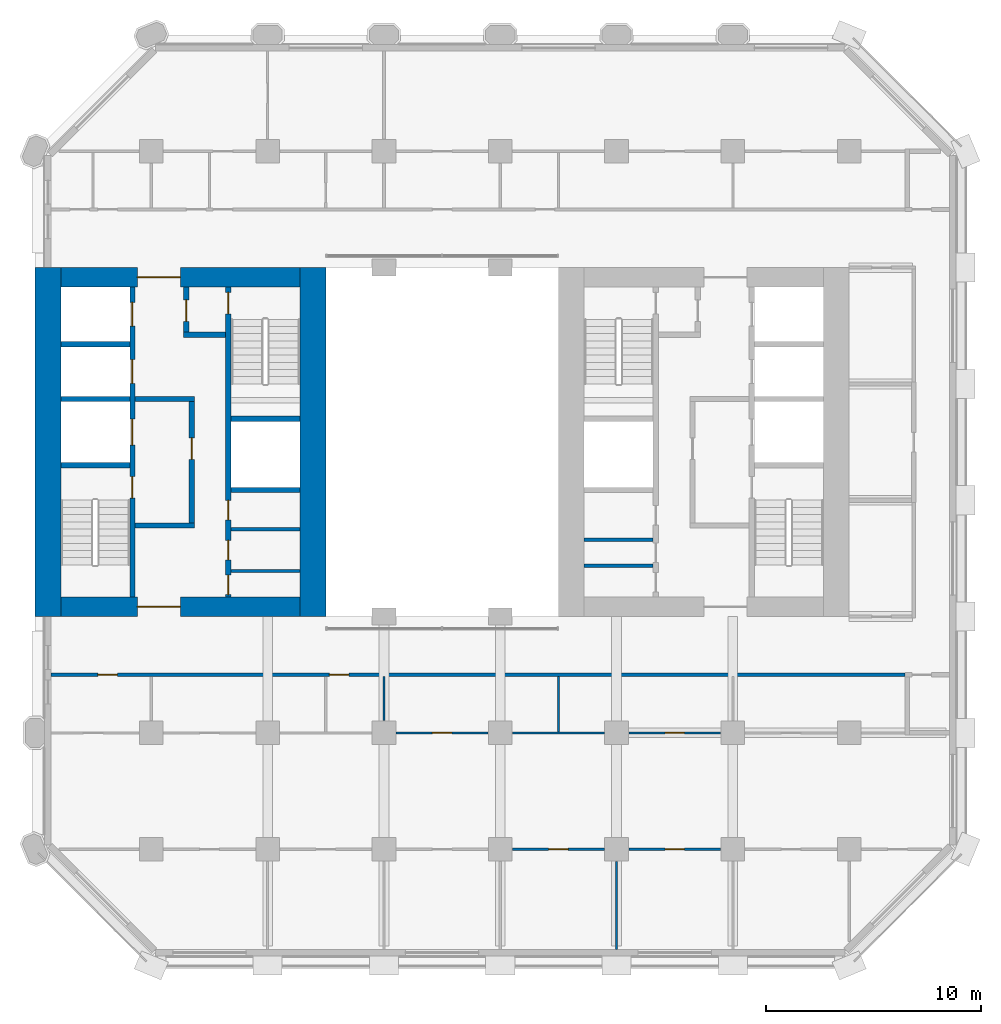
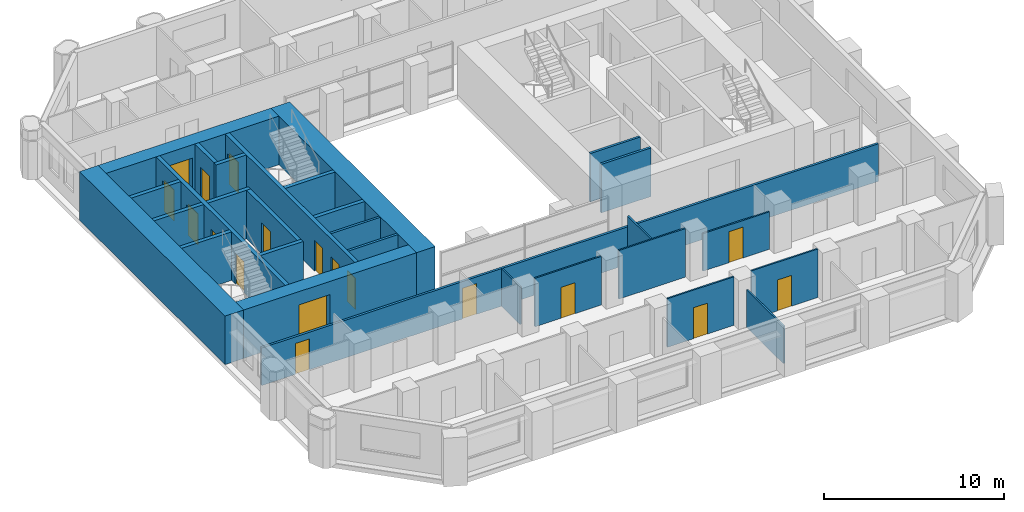
# One storey, part 8 of 13: 29 walls, 18 doors, 18 openings.
"""IFC4 building model written with IfcOpenShell, lengths in metres."""

from ifc_helpers import new_model, si_unit, direction, frame, frame_2d, origin, place, context, subcontext, project, spatial, rectangle, extrude, material, layer, layer_set, type_object, element, fill, save


model = new_model("IFC4")

# Units and contexts
model_context = context("Model", 3, precision=1e-05, world=origin(), true_north=direction((0.0, 1.0)))
body_context = subcontext(model_context, "Body", "Model", "MODEL_VIEW")
ifc_project = project(units=[si_unit("LENGTHUNIT", "METRE"), si_unit("AREAUNIT", "SQUARE_METRE"), si_unit("VOLUMEUNIT", "CUBIC_METRE"), si_unit("PLANEANGLEUNIT", "RADIAN"), si_unit("MASSUNIT", "GRAM", prefix="KILO")], contexts=[model_context])

# Site, building, storey
site_placement = place(None, origin())
site = spatial("IfcSite", under=ifc_project, at=site_placement, CompositionType="ELEMENT")
building_placement = place(site_placement, origin())
building = spatial("IfcBuilding", under=site, at=building_placement, Name="Tabaq Tower and Sports Hall", CompositionType="ELEMENT")
storey_placement = place(building_placement, frame((0.0, 0.0, 56.39990234375)))
storey = spatial("IfcBuildingStorey", under=building, at=storey_placement, Name="L12", CompositionType="ELEMENT", Elevation=56.39990234375)

# Walls
ifc_material_1 = material(Name="Blockwork", Category="masonry")
ifc_layer_1 = layer(ifc_material_1, 0.14990234375)
ifc_layer_set_1 = layer_set([ifc_layer_1], Name="Core room partition 150 Blockwork")
wall_type_1 = type_object("IfcWallType", Name="Core room partition 150 Blockwork", PredefinedType="PARTITIONING", material=ifc_layer_set_1)
for number, where, z_axis, x_axis, name in (
    (1, (14.5, 18.31201171875, 0.0), (0.0, 0.0, 1.0), (1.0, 0.0, 0.0), "Core room partition W L12"),
    (2, (14.5, 20.251953125, 0.0), (0.0, 0.0, 1.0), (1.0, 0.0, 0.0), "Core room partition W L12"),
):
    element("IfcWall", number, at=place(storey_placement, frame(where, z_axis=z_axis, x_axis=x_axis)), inside=storey, type_object=wall_type_1, Name=name, PredefinedType="PARTITIONING", context=body_context, shape_type="SweptSolid", body=[
        extrude(rectangle(XDim=3.199951171875, YDim=0.14990234375, at=frame_2d((1.60009765625, 0.0))), origin(), (0.0, 0.0, 1.0), 3.300048828125),
    ])
for number, where, z_axis, x_axis, name in (
    (3, (30.89990234375, 18.554931640625, 0.0), (0.0, 0.0, 1.0), (1.0, 0.0, 0.0), "Core room partition E L12"),
    (4, (30.89990234375, 19.76708984375, 0.0), (0.0, 0.0, 1.0), (1.0, 0.0, 0.0), "Core room partition E L12"),
):
    element("IfcWall", number, at=place(storey_placement, frame(where, z_axis=z_axis, x_axis=x_axis)), inside=storey, type_object=wall_type_1, Name=name, PredefinedType="PARTITIONING", context=body_context, shape_type="SweptSolid", body=[
        extrude(rectangle(XDim=3.2001953125, YDim=0.14990234375, at=frame_2d((1.60009765625, 0.0))), origin(), (0.0, 0.0, 1.0), 3.300048828125),
    ])
ifc_material_2 = material(Name="Concrete C60/75", Category="concrete")
ifc_layer_2 = layer(ifc_material_2, 1.199951171875)
ifc_layer_set_2 = layer_set([ifc_layer_2], Name="Core wall 1200 Concrete C60/75")
wall_type_2 = type_object("IfcWallType", Name="Core wall 1200 Concrete C60/75", PredefinedType="SOLIDWALL", material=ifc_layer_set_2)
for number, where, z_axis, x_axis, name in (
    (5, (6.0, 16.199951171875, 0.0), (0.0, 0.0, 1.0), (0.0, 1.0, 0.0), "Core wall W L12"),
    (6, (18.300048828125, 32.39990234375, 0.0), (0.0, 0.0, 1.0), (0.0, -1.0, 0.0), "Core wall W L12"),
):
    element("IfcWall", number, at=place(storey_placement, frame(where, z_axis=z_axis, x_axis=x_axis)), inside=storey, type_object=wall_type_2, Name=name, PredefinedType="SOLIDWALL", context=body_context, shape_type="SweptSolid", body=[
        extrude(rectangle(XDim=16.199951171875, YDim=1.199951171875, at=frame_2d((8.10009765625, 0.0))), origin(), (0.0, 0.0, 1.0), 3.300048828125),
    ])

# Wall, opening, door
ifc_material_3 = material(Name="Concrete C60/75", Category="concrete")
ifc_layer_3 = layer(ifc_material_3, 0.89990234375)
ifc_layer_set_3 = layer_set([ifc_layer_3], Name="Core wall 900 Concrete C60/75")
wall_type_3 = type_object("IfcWallType", Name="Core wall 900 Concrete C60/75", PredefinedType="SOLIDWALL", material=ifc_layer_set_3)
wall_1_placement = place(storey_placement, frame((17.699951171875, 16.64990234375, 0.0), z_axis=(0.0, 0.0, 1.0), x_axis=(-1.0, 0.0, 0.0)))
wall_1 = element("IfcWall", 7, at=wall_1_placement, inside=storey, type_object=wall_type_3, Name="Core wall W L12", PredefinedType="SOLIDWALL", context=body_context, shape_type="SweptSolid", body=[
    extrude(rectangle(XDim=11.099853515625, YDim=0.89990234375, at=frame_2d((5.5498046875, 0.0))), origin(), (0.0, 0.0, 1.0), 3.300048828125),
])
opening_1_placement = place(wall_1_placement, frame((5.550048828125, 0.0, 0.0)))
opening_1 = element("IfcOpeningElement", 8, at=opening_1_placement, cuts=wall_1, Name="Opening PD-WL12-01", PredefinedType="OPENING", context=body_context, shape_type="SweptSolid", body=[
    extrude(rectangle(XDim=2.0, YDim=2.39990234375, at=frame_2d((1.0, 1.199951171875))), frame((0.0, 0.449951171875, 0.0), z_axis=(0.0, -1.0, 0.0), x_axis=(1.0, 0.0, 0.0)), (0.0, 0.0, 1.0), 0.89990234375),
])
ifc_material_4 = material(Name="Steel fire door", Category="steel")
door_type_1 = type_object("IfcDoorType", Name="Core entrance door 2000", OperationType="DOUBLE_DOOR_SINGLE_SWING", PredefinedType="DOOR", material=ifc_material_4)
door_1_placement = place(opening_1_placement, origin())
door_1 = element("IfcDoor", 9, at=door_1_placement, inside=storey, type_object=door_type_1, Name="Core entrance south W L12", OperationType="DOUBLE_DOOR_SINGLE_SWING", OverallHeight=2.39990234375, OverallWidth=2.0, PredefinedType="DOOR", context=body_context, shape_type="SweptSolid", body=[
    extrude(rectangle(XDim=2.0, YDim=2.39990234375, at=frame_2d((1.0, 1.199951171875))), frame((0.0, 0.02490234375, 0.0), z_axis=(0.0, -1.0, 0.0), x_axis=(1.0, 0.0, 0.0)), (0.0, 0.0, 1.0), 0.050048828125),
])
fill(opening_1, door_1)

wall_2_placement = place(storey_placement, frame((6.60009765625, 31.949951171875, 0.0), z_axis=(0.0, 0.0, 1.0), x_axis=(1.0, 0.0, 0.0)))
wall_2 = element("IfcWall", 10, at=wall_2_placement, inside=storey, type_object=wall_type_3, Name="Core wall W L12", PredefinedType="SOLIDWALL", context=body_context, shape_type="SweptSolid", body=[
    extrude(rectangle(XDim=11.099853515625, YDim=0.89990234375, at=frame_2d((5.5498046875, 0.0))), origin(), (0.0, 0.0, 1.0), 3.300048828125),
])
opening_2_placement = place(wall_2_placement, frame((3.550048828125, 0.0, 0.0)))
opening_2 = element("IfcOpeningElement", 11, at=opening_2_placement, cuts=wall_2, Name="Opening PD-WL12-02", PredefinedType="OPENING", context=body_context, shape_type="SweptSolid", body=[
    extrude(rectangle(XDim=2.0, YDim=2.39990234375, at=frame_2d((1.0, 1.199951171875))), frame((0.0, 0.449951171875, 0.0), z_axis=(0.0, -1.0, 0.0), x_axis=(1.0, 0.0, 0.0)), (0.0, 0.0, 1.0), 0.89990234375),
])
door_2_placement = place(opening_2_placement, origin())
door_2 = element("IfcDoor", 12, at=door_2_placement, inside=storey, type_object=door_type_1, Name="Core entrance north W L12", OperationType="DOUBLE_DOOR_SINGLE_SWING", OverallHeight=2.39990234375, OverallWidth=2.0, PredefinedType="DOOR", context=body_context, shape_type="SweptSolid", body=[
    extrude(rectangle(XDim=2.0, YDim=2.39990234375, at=frame_2d((1.0, 1.199951171875))), frame((0.0, 0.02490234375, 0.0), z_axis=(0.0, -1.0, 0.0), x_axis=(1.0, 0.0, 0.0)), (0.0, 0.0, 1.0), 0.050048828125),
])
fill(opening_2, door_2)

# Wall
ifc_material_5 = material(Name="Gypsum board on steel studs", Category="steel")
ifc_layer_4 = layer(ifc_material_5, 0.10009765625)
ifc_layer_set_4 = layer_set([ifc_layer_4], Name="Partition 100 Gypsum board")
wall_type_4 = type_object("IfcWallType", Name="Partition 100 Gypsum board", PredefinedType="PARTITIONING", material=ifc_layer_set_4)
wall_3_placement = place(storey_placement, frame((21.60009765625, 11.3701171875, 0.0), z_axis=(0.0, 0.0, 1.0), x_axis=(0.0, 1.0, 0.0)))
element("IfcWall", 13, at=wall_3_placement, inside=storey, type_object=wall_type_4, Name="Partition wall L12", PredefinedType="PARTITIONING", context=body_context, shape_type="SweptSolid", body=[
    extrude(rectangle(XDim=2.054931640625, YDim=0.10009765625, at=frame_2d((1.02734375, 0.0))), origin(), (0.0, 0.0, 1.0), 2.550048828125),
])

# Wall, opening, door
wall_4_placement = place(storey_placement, frame((22.169921875, 10.800048828125, 0.0), z_axis=(0.0, 0.0, 1.0), x_axis=(1.0, 0.0, 0.0)))
wall_4 = element("IfcWall", 14, at=wall_4_placement, inside=storey, type_object=wall_type_4, Name="Partition wall L12", PredefinedType="PARTITIONING", context=body_context, shape_type="SweptSolid", body=[
    extrude(rectangle(XDim=4.260009765625, YDim=0.10009765625, at=frame_2d((2.1298828125, 0.0))), origin(), (0.0, 0.0, 1.0), 3.300048828125),
])
opening_3_placement = place(wall_4_placement, frame((1.679931640625, 0.0, 0.0)))
opening_3 = element("IfcOpeningElement", 15, at=opening_3_placement, cuts=wall_4, Name="Opening L12-016", PredefinedType="OPENING", context=body_context, shape_type="SweptSolid", body=[
    extrude(rectangle(XDim=0.89990234375, YDim=2.10009765625, at=frame_2d((0.449951171875, 1.050048828125))), frame((0.0, 0.050048828125, 0.0), z_axis=(0.0, -1.0, 0.0), x_axis=(1.0, 0.0, 0.0)), (0.0, 0.0, 1.0), 0.10009765625),
])
ifc_material_6 = material(Name="Timber leaf in steel frame", Category="steel")
door_type_2 = type_object("IfcDoorType", Name="Internal door 900 left hand", OperationType="SINGLE_SWING_LEFT", PredefinedType="DOOR", material=ifc_material_6)
door_3_placement = place(opening_3_placement, origin())
door_3 = element("IfcDoor", 16, at=door_3_placement, inside=storey, type_object=door_type_2, Name="Internal door L12-016", OperationType="SINGLE_SWING_LEFT", OverallHeight=2.10009765625, OverallWidth=0.89990234375, PredefinedType="DOOR", context=body_context, shape_type="SweptSolid", body=[
    extrude(rectangle(XDim=0.89990234375, YDim=2.10009765625, at=frame_2d((0.449951171875, 1.050048828125))), frame((0.0, 0.02490234375, 0.0), z_axis=(0.0, -1.0, 0.0), x_axis=(1.0, 0.0, 0.0)), (0.0, 0.0, 1.0), 0.050048828125),
])
fill(opening_3, door_3)

# Walls
wall_5_placement = place(storey_placement, frame((29.699951171875, 10.85009765625, 0.0), z_axis=(0.0, 0.0, 1.0), x_axis=(0.0, 1.0, 0.0)))
element("IfcWall", 17, at=wall_5_placement, inside=storey, type_object=wall_type_4, Name="Partition wall L12", PredefinedType="PARTITIONING", context=body_context, shape_type="SweptSolid", body=[
    extrude(rectangle(XDim=2.574951171875, YDim=0.10009765625, at=frame_2d((1.28759765625, 0.0))), origin(), (0.0, 0.0, 1.0), 3.300048828125),
])
wall_6_placement = place(storey_placement, frame((27.570068359375, 10.800048828125, 0.0), z_axis=(0.0, 0.0, 1.0), x_axis=(1.0, 0.0, 0.0)))
element("IfcWall", 18, at=wall_6_placement, inside=storey, type_object=wall_type_4, Name="Partition wall L12", PredefinedType="PARTITIONING", context=body_context, shape_type="SweptSolid", body=[
    extrude(rectangle(XDim=4.260009765625, YDim=0.10009765625, at=frame_2d((2.1298828125, 0.0))), origin(), (0.0, 0.0, 1.0), 3.300048828125),
])

# Wall, opening, door
wall_7_placement = place(storey_placement, frame((32.969970703125, 10.800048828125, 0.0), z_axis=(0.0, 0.0, 1.0), x_axis=(1.0, 0.0, 0.0)))
wall_7 = element("IfcWall", 19, at=wall_7_placement, inside=storey, type_object=wall_type_4, Name="Partition wall L12", PredefinedType="PARTITIONING", context=body_context, shape_type="SweptSolid", body=[
    extrude(rectangle(XDim=4.260009765625, YDim=0.10009765625, at=frame_2d((2.1298828125, 0.0))), origin(), (0.0, 0.0, 1.0), 2.550048828125),
])
opening_4_placement = place(wall_7_placement, frame((1.679931640625, 0.0, 0.0)))
opening_4 = element("IfcOpeningElement", 20, at=opening_4_placement, cuts=wall_7, Name="Opening L12-017", PredefinedType="OPENING", context=body_context, shape_type="SweptSolid", body=[
    extrude(rectangle(XDim=0.89990234375, YDim=2.10009765625, at=frame_2d((0.449951171875, 1.050048828125))), frame((0.0, 0.050048828125, 0.0), z_axis=(0.0, -1.0, 0.0), x_axis=(1.0, 0.0, 0.0)), (0.0, 0.0, 1.0), 0.10009765625),
])
ifc_material_7 = material(Name="Timber leaf in steel frame", Category="steel")
door_type_3 = type_object("IfcDoorType", Name="Internal door 900 right hand", OperationType="SINGLE_SWING_RIGHT", PredefinedType="DOOR", material=ifc_material_7)
door_4_placement = place(opening_4_placement, origin())
door_4 = element("IfcDoor", 21, at=door_4_placement, inside=storey, type_object=door_type_3, Name="Internal door L12-017", OperationType="SINGLE_SWING_RIGHT", OverallHeight=2.10009765625, OverallWidth=0.89990234375, PredefinedType="DOOR", context=body_context, shape_type="SweptSolid", body=[
    extrude(rectangle(XDim=0.89990234375, YDim=2.10009765625, at=frame_2d((0.449951171875, 1.050048828125))), frame((0.0, 0.02490234375, 0.0), z_axis=(0.0, -1.0, 0.0), x_axis=(1.0, 0.0, 0.0)), (0.0, 0.0, 1.0), 0.050048828125),
])
fill(opening_4, door_4)

wall_8_placement = place(storey_placement, frame((27.570068359375, 5.39990234375, 0.0), z_axis=(0.0, 0.0, 1.0), x_axis=(1.0, 0.0, 0.0)))
wall_8 = element("IfcWall", 22, at=wall_8_placement, inside=storey, type_object=wall_type_4, Name="Partition wall L12", PredefinedType="PARTITIONING", context=body_context, shape_type="SweptSolid", body=[
    extrude(rectangle(XDim=4.260009765625, YDim=0.10009765625, at=frame_2d((2.1298828125, 0.0))), origin(), (0.0, 0.0, 1.0), 3.300048828125),
])
opening_5_placement = place(wall_8_placement, frame((1.679931640625, 0.0, 0.0)))
opening_5 = element("IfcOpeningElement", 23, at=opening_5_placement, cuts=wall_8, Name="Opening L12-022", PredefinedType="OPENING", context=body_context, shape_type="SweptSolid", body=[
    extrude(rectangle(XDim=0.89990234375, YDim=2.10009765625, at=frame_2d((0.449951171875, 1.050048828125))), frame((0.0, 0.050048828125, 0.0), z_axis=(0.0, -1.0, 0.0), x_axis=(1.0, 0.0, 0.0)), (0.0, 0.0, 1.0), 0.10009765625),
])
door_5_placement = place(opening_5_placement, origin())
door_5 = element("IfcDoor", 24, at=door_5_placement, inside=storey, type_object=door_type_3, Name="Internal door L12-022", OperationType="SINGLE_SWING_RIGHT", OverallHeight=2.10009765625, OverallWidth=0.89990234375, PredefinedType="DOOR", context=body_context, shape_type="SweptSolid", body=[
    extrude(rectangle(XDim=0.89990234375, YDim=2.10009765625, at=frame_2d((0.449951171875, 1.050048828125))), frame((0.0, 0.02490234375, 0.0), z_axis=(0.0, -1.0, 0.0), x_axis=(1.0, 0.0, 0.0)), (0.0, 0.0, 1.0), 0.050048828125),
])
fill(opening_5, door_5)

wall_9_placement = place(storey_placement, frame((32.969970703125, 5.39990234375, 0.0), z_axis=(0.0, 0.0, 1.0), x_axis=(1.0, 0.0, 0.0)))
wall_9 = element("IfcWall", 25, at=wall_9_placement, inside=storey, type_object=wall_type_4, Name="Partition wall L12", PredefinedType="PARTITIONING", context=body_context, shape_type="SweptSolid", body=[
    extrude(rectangle(XDim=4.260009765625, YDim=0.10009765625, at=frame_2d((2.1298828125, 0.0))), origin(), (0.0, 0.0, 1.0), 3.300048828125),
])
opening_6_placement = place(wall_9_placement, frame((1.679931640625, 0.0, 0.0)))
opening_6 = element("IfcOpeningElement", 26, at=opening_6_placement, cuts=wall_9, Name="Opening L12-023", PredefinedType="OPENING", context=body_context, shape_type="SweptSolid", body=[
    extrude(rectangle(XDim=0.89990234375, YDim=2.10009765625, at=frame_2d((0.449951171875, 1.050048828125))), frame((0.0, 0.050048828125, 0.0), z_axis=(0.0, -1.0, 0.0), x_axis=(1.0, 0.0, 0.0)), (0.0, 0.0, 1.0), 0.10009765625),
])
door_6_placement = place(opening_6_placement, origin())
door_6 = element("IfcDoor", 27, at=door_6_placement, inside=storey, type_object=door_type_2, Name="Internal door L12-023", OperationType="SINGLE_SWING_LEFT", OverallHeight=2.10009765625, OverallWidth=0.89990234375, PredefinedType="DOOR", context=body_context, shape_type="SweptSolid", body=[
    extrude(rectangle(XDim=0.89990234375, YDim=2.10009765625, at=frame_2d((0.449951171875, 1.050048828125))), frame((0.0, 0.02490234375, 0.0), z_axis=(0.0, -1.0, 0.0), x_axis=(1.0, 0.0, 0.0)), (0.0, 0.0, 1.0), 0.050048828125),
])
fill(opening_6, door_6)

# Wall
wall_10_placement = place(storey_placement, frame((32.39990234375, 0.7509765625, 0.0), z_axis=(0.0, 0.0, 1.0), x_axis=(0.0, 1.0, 0.0)))
element("IfcWall", 28, at=wall_10_placement, inside=storey, type_object=wall_type_4, Name="Partition wall L12", PredefinedType="PARTITIONING", context=body_context, shape_type="SweptSolid", body=[
    extrude(rectangle(XDim=4.0791015625, YDim=0.10009765625, at=frame_2d((2.03955078125, 0.0))), origin(), (0.0, 0.0, 1.0), 2.550048828125),
])

# Wall, openings, doors
ifc_material_8 = material(Name="Blockwork", Category="masonry")
ifc_layer_5 = layer(ifc_material_8, 0.14990234375)
ifc_layer_set_5 = layer_set([ifc_layer_5], Name="Separating wall 150 Blockwork")
wall_type_5 = type_object("IfcWallType", Name="Separating wall 150 Blockwork", PredefinedType="PARTITIONING", material=ifc_layer_set_5)
wall_11_placement = place(storey_placement, frame((6.15087890625, 13.5, 0.0), z_axis=(0.0, 0.0, 1.0), x_axis=(1.0, 0.0, 0.0)))
wall_11 = element("IfcWall", 29, at=wall_11_placement, inside=storey, type_object=wall_type_5, Name="Separating wall L12", PredefinedType="PARTITIONING", context=body_context, shape_type="SweptSolid", body=[
    extrude(rectangle(XDim=39.649169921875, YDim=0.14990234375, at=frame_2d((19.82470703125, 0.0))), origin(), (0.0, 0.0, 1.0), 2.550048828125),
])
opening_7_placement = place(wall_11_placement, frame((12.9189453125, 0.0, 0.0)))
opening_7 = element("IfcOpeningElement", 30, at=opening_7_placement, cuts=wall_11, Name="Opening L12-006", PredefinedType="OPENING", context=body_context, shape_type="SweptSolid", body=[
    extrude(rectangle(XDim=0.89990234375, YDim=2.10009765625, at=frame_2d((0.449951171875, 1.050048828125))), frame((0.0, 0.074951171875, 0.0), z_axis=(0.0, -1.0, 0.0), x_axis=(1.0, 0.0, 0.0)), (0.0, 0.0, 1.0), 0.14990234375),
])
opening_8_placement = place(wall_11_placement, frame((2.174072265625, 0.0, 0.0)))
opening_8 = element("IfcOpeningElement", 31, at=opening_8_placement, cuts=wall_11, Name="Opening L12-027", PredefinedType="OPENING", context=body_context, shape_type="SweptSolid", body=[
    extrude(rectangle(XDim=0.89990234375, YDim=2.10009765625, at=frame_2d((0.449951171875, 1.050048828125))), frame((0.0, 0.074951171875, 0.0), z_axis=(0.0, -1.0, 0.0), x_axis=(1.0, 0.0, 0.0)), (0.0, 0.0, 1.0), 0.14990234375),
])
ifc_material_9 = material(Name="Steel fire door", Category="steel")
door_type_4 = type_object("IfcDoorType", Name="Entrance door 900 right hand", OperationType="SINGLE_SWING_RIGHT", PredefinedType="DOOR", material=ifc_material_9)
door_7_placement = place(opening_7_placement, origin())
door_7 = element("IfcDoor", 32, at=door_7_placement, inside=storey, type_object=door_type_4, Name="Entrance door L12-006", OperationType="SINGLE_SWING_RIGHT", OverallHeight=2.10009765625, OverallWidth=0.89990234375, PredefinedType="DOOR", context=body_context, shape_type="SweptSolid", body=[
    extrude(rectangle(XDim=0.89990234375, YDim=2.10009765625, at=frame_2d((0.449951171875, 1.050048828125))), frame((0.0, 0.02490234375, 0.0), z_axis=(0.0, -1.0, 0.0), x_axis=(1.0, 0.0, 0.0)), (0.0, 0.0, 1.0), 0.050048828125),
])
fill(opening_7, door_7)
door_8_placement = place(opening_8_placement, origin())
door_8 = element("IfcDoor", 33, at=door_8_placement, inside=storey, type_object=door_type_4, Name="Entrance door L12-027", OperationType="SINGLE_SWING_RIGHT", OverallHeight=2.10009765625, OverallWidth=0.89990234375, PredefinedType="DOOR", context=body_context, shape_type="SweptSolid", body=[
    extrude(rectangle(XDim=0.89990234375, YDim=2.10009765625, at=frame_2d((0.449951171875, 1.050048828125))), frame((0.0, 0.02490234375, 0.0), z_axis=(0.0, -1.0, 0.0), x_axis=(1.0, 0.0, 0.0)), (0.0, 0.0, 1.0), 0.050048828125),
])
fill(opening_8, door_8)

ifc_material_10 = material(Name="Concrete C40/50", Category="concrete")
ifc_layer_6 = layer(ifc_material_10, 0.25)
ifc_layer_set_6 = layer_set([ifc_layer_6], Name="Shaft and stair wall 250 Concrete C40/50")
wall_type_6 = type_object("IfcWallType", Name="Shaft and stair wall 250 Concrete C40/50", PredefinedType="SOLIDWALL", material=ifc_layer_set_6)
wall_12_placement = place(storey_placement, frame((9.925048828125, 17.10009765625, 0.0), z_axis=(0.0, 0.0, 1.0), x_axis=(0.0, 1.0, 0.0)))
wall_12 = element("IfcWall", 34, at=wall_12_placement, inside=storey, type_object=wall_type_6, Name="Shaft wall W L12", PredefinedType="SOLIDWALL", context=body_context, shape_type="SweptSolid", body=[
    extrude(rectangle(XDim=14.39990234375, YDim=0.25, at=frame_2d((7.199951171875, 0.0))), origin(), (0.0, 0.0, 1.0), 3.300048828125),
])
opening_9_placement = place(wall_12_placement, frame((4.60009765625, 0.0, 0.0)))
opening_9 = element("IfcOpeningElement", 35, at=opening_9_placement, cuts=wall_12, Name="Opening SD-WL12-03", PredefinedType="OPENING", context=body_context, shape_type="SweptSolid", body=[
    extrude(rectangle(XDim=1.0, YDim=2.10009765625, at=frame_2d((0.5, 1.050048828125))), frame((0.0, 0.125, 0.0), z_axis=(0.0, -1.0, 0.0), x_axis=(1.0, 0.0, 0.0)), (0.0, 0.0, 1.0), 0.25),
])
opening_10_placement = place(wall_12_placement, frame((7.0625, 0.0, 0.0)))
opening_10 = element("IfcOpeningElement", 36, at=opening_10_placement, cuts=wall_12, Name="Opening LD-FF1-L12", PredefinedType="OPENING", context=body_context, shape_type="SweptSolid", body=[
    extrude(rectangle(XDim=1.199951171875, YDim=2.10009765625, at=frame_2d((0.60009765625, 1.050048828125))), frame((0.0, 0.125, 0.0), z_axis=(0.0, -1.0, 0.0), x_axis=(1.0, 0.0, 0.0)), (0.0, 0.0, 1.0), 0.25),
])
opening_11_placement = place(wall_12_placement, frame((9.925048828125, 0.0, 0.0)))
opening_11 = element("IfcOpeningElement", 37, at=opening_11_placement, cuts=wall_12, Name="Opening LD-LR1-L12", PredefinedType="OPENING", context=body_context, shape_type="SweptSolid", body=[
    extrude(rectangle(XDim=1.10009765625, YDim=2.10009765625, at=frame_2d((0.550048828125, 1.050048828125))), frame((0.0, 0.125, 0.0), z_axis=(0.0, -1.0, 0.0), x_axis=(1.0, 0.0, 0.0)), (0.0, 0.0, 1.0), 0.25),
])
opening_12_placement = place(wall_12_placement, frame((12.58740234375, 0.0, 0.0)))
opening_12 = element("IfcOpeningElement", 38, at=opening_12_placement, cuts=wall_12, Name="Opening LD-LR2-L12", PredefinedType="OPENING", context=body_context, shape_type="SweptSolid", body=[
    extrude(rectangle(XDim=1.10009765625, YDim=2.10009765625, at=frame_2d((0.550048828125, 1.050048828125))), frame((0.0, 0.125, 0.0), z_axis=(0.0, -1.0, 0.0), x_axis=(1.0, 0.0, 0.0)), (0.0, 0.0, 1.0), 0.25),
])
ifc_material_11 = material(Name="Stainless steel", Category="steel")
door_type_5 = type_object("IfcDoorType", Name="Lift landing door 1100", OperationType="DOUBLE_DOOR_SLIDING", PredefinedType="DOOR", material=ifc_material_11)
door_9_placement = place(opening_11_placement, origin())
door_9 = element("IfcDoor", 39, at=door_9_placement, inside=storey, type_object=door_type_5, Name="Lift landing door LR1 W L12", OperationType="DOUBLE_DOOR_SLIDING", OverallHeight=2.10009765625, OverallWidth=1.10009765625, PredefinedType="DOOR", context=body_context, shape_type="SweptSolid", body=[
    extrude(rectangle(XDim=1.10009765625, YDim=2.10009765625, at=frame_2d((0.550048828125, 1.050048828125))), frame((0.0, 0.02490234375, 0.0), z_axis=(0.0, -1.0, 0.0), x_axis=(1.0, 0.0, 0.0)), (0.0, 0.0, 1.0), 0.050048828125),
])
fill(opening_11, door_9)
door_10_placement = place(opening_12_placement, origin())
door_10 = element("IfcDoor", 40, at=door_10_placement, inside=storey, type_object=door_type_5, Name="Lift landing door LR2 W L12", OperationType="DOUBLE_DOOR_SLIDING", OverallHeight=2.10009765625, OverallWidth=1.10009765625, PredefinedType="DOOR", context=body_context, shape_type="SweptSolid", body=[
    extrude(rectangle(XDim=1.10009765625, YDim=2.10009765625, at=frame_2d((0.550048828125, 1.050048828125))), frame((0.0, 0.02490234375, 0.0), z_axis=(0.0, -1.0, 0.0), x_axis=(1.0, 0.0, 0.0)), (0.0, 0.0, 1.0), 0.050048828125),
])
fill(opening_12, door_10)
ifc_material_12 = material(Name="Stainless steel", Category="steel")
door_type_6 = type_object("IfcDoorType", Name="Lift landing door 1200", OperationType="DOUBLE_DOOR_SLIDING", PredefinedType="DOOR", material=ifc_material_12)
door_11_placement = place(opening_10_placement, origin())
door_11 = element("IfcDoor", 41, at=door_11_placement, inside=storey, type_object=door_type_6, Name="Lift landing door FF1 W L12", OperationType="DOUBLE_DOOR_SLIDING", OverallHeight=2.10009765625, OverallWidth=1.199951171875, PredefinedType="DOOR", context=body_context, shape_type="SweptSolid", body=[
    extrude(rectangle(XDim=1.199951171875, YDim=2.10009765625, at=frame_2d((0.60009765625, 1.050048828125))), frame((0.0, 0.02490234375, 0.0), z_axis=(0.0, -1.0, 0.0), x_axis=(1.0, 0.0, 0.0)), (0.0, 0.0, 1.0), 0.050048828125),
])
fill(opening_10, door_11)
ifc_material_13 = material(Name="Steel fire door", Category="steel")
door_type_7 = type_object("IfcDoorType", Name="Stair door 1000", OperationType="SINGLE_SWING_LEFT", PredefinedType="DOOR", material=ifc_material_13)
door_12_placement = place(opening_9_placement, origin())
door_12 = element("IfcDoor", 42, at=door_12_placement, inside=storey, type_object=door_type_7, Name="Stair door ST1 W L12", OperationType="SINGLE_SWING_LEFT", OverallHeight=2.10009765625, OverallWidth=1.0, PredefinedType="DOOR", context=body_context, shape_type="SweptSolid", body=[
    extrude(rectangle(XDim=1.0, YDim=2.10009765625, at=frame_2d((0.5, 1.050048828125))), frame((0.0, 0.02490234375, 0.0), z_axis=(0.0, -1.0, 0.0), x_axis=(1.0, 0.0, 0.0)), (0.0, 0.0, 1.0), 0.050048828125),
])
fill(opening_9, door_12)

wall_13_placement = place(storey_placement, frame((14.375, 17.10009765625, 0.0), z_axis=(0.0, 0.0, 1.0), x_axis=(0.0, 1.0, 0.0)))
wall_13 = element("IfcWall", 43, at=wall_13_placement, inside=storey, type_object=wall_type_6, Name="Shaft wall W L12", PredefinedType="SOLIDWALL", context=body_context, shape_type="SweptSolid", body=[
    extrude(rectangle(XDim=14.39990234375, YDim=0.25, at=frame_2d((7.199951171875, 0.0))), origin(), (0.0, 0.0, 1.0), 3.300048828125),
])
opening_13_placement = place(wall_13_placement, frame((13.14990234375, 0.0, 0.0)))
opening_13 = element("IfcOpeningElement", 44, at=opening_13_placement, cuts=wall_13, Name="Opening SD-WL12-05", PredefinedType="OPENING", context=body_context, shape_type="SweptSolid", body=[
    extrude(rectangle(XDim=1.0, YDim=2.10009765625, at=frame_2d((0.5, 1.050048828125))), frame((0.0, 0.125, 0.0), z_axis=(0.0, -1.0, 0.0), x_axis=(1.0, 0.0, 0.0)), (0.0, 0.0, 1.0), 0.25),
])
opening_14_placement = place(wall_13_placement, frame((0.118408203125, 0.0, 0.0)))
opening_14 = element("IfcOpeningElement", 45, at=opening_14_placement, cuts=wall_13, Name="Opening RD-WL12-10", PredefinedType="OPENING", context=body_context, shape_type="SweptSolid", body=[
    extrude(rectangle(XDim=0.89990234375, YDim=2.10009765625, at=frame_2d((0.449951171875, 1.050048828125))), frame((0.0, 0.125, 0.0), z_axis=(0.0, -1.0, 0.0), x_axis=(1.0, 0.0, 0.0)), (0.0, 0.0, 1.0), 0.25),
])
opening_15_placement = place(wall_13_placement, frame((1.73193359375, 0.0, 0.0)))
opening_15 = element("IfcOpeningElement", 46, at=opening_15_placement, cuts=wall_13, Name="Opening RD-WL12-11", PredefinedType="OPENING", context=body_context, shape_type="SweptSolid", body=[
    extrude(rectangle(XDim=0.89990234375, YDim=2.10009765625, at=frame_2d((0.449951171875, 1.050048828125))), frame((0.0, 0.125, 0.0), z_axis=(0.0, -1.0, 0.0), x_axis=(1.0, 0.0, 0.0)), (0.0, 0.0, 1.0), 0.25),
])
opening_16_placement = place(wall_13_placement, frame((3.58837890625, 0.0, 0.0)))
opening_16 = element("IfcOpeningElement", 47, at=opening_16_placement, cuts=wall_13, Name="Opening RD-WL12-12", PredefinedType="OPENING", context=body_context, shape_type="SweptSolid", body=[
    extrude(rectangle(XDim=0.89990234375, YDim=2.10009765625, at=frame_2d((0.449951171875, 1.050048828125))), frame((0.0, 0.125, 0.0), z_axis=(0.0, -1.0, 0.0), x_axis=(1.0, 0.0, 0.0)), (0.0, 0.0, 1.0), 0.25),
])
ifc_material_14 = material(Name="Steel fire door", Category="steel")
door_type_8 = type_object("IfcDoorType", Name="Core room door 900", OperationType="SINGLE_SWING_LEFT", PredefinedType="DOOR", material=ifc_material_14)
door_13_placement = place(opening_14_placement, origin())
door_13 = element("IfcDoor", 48, at=door_13_placement, inside=storey, type_object=door_type_8, Name="Door Electrical Riser Room W L12", OperationType="SINGLE_SWING_LEFT", OverallHeight=2.10009765625, OverallWidth=0.89990234375, PredefinedType="DOOR", context=body_context, shape_type="SweptSolid", body=[
    extrude(rectangle(XDim=0.89990234375, YDim=2.10009765625, at=frame_2d((0.449951171875, 1.050048828125))), frame((0.0, 0.02490234375, 0.0), z_axis=(0.0, -1.0, 0.0), x_axis=(1.0, 0.0, 0.0)), (0.0, 0.0, 1.0), 0.050048828125),
])
fill(opening_14, door_13)
door_14_placement = place(opening_15_placement, origin())
door_14 = element("IfcDoor", 49, at=door_14_placement, inside=storey, type_object=door_type_8, Name="Door Unisex WC W L12", OperationType="SINGLE_SWING_LEFT", OverallHeight=2.10009765625, OverallWidth=0.89990234375, PredefinedType="DOOR", context=body_context, shape_type="SweptSolid", body=[
    extrude(rectangle(XDim=0.89990234375, YDim=2.10009765625, at=frame_2d((0.449951171875, 1.050048828125))), frame((0.0, 0.02490234375, 0.0), z_axis=(0.0, -1.0, 0.0), x_axis=(1.0, 0.0, 0.0)), (0.0, 0.0, 1.0), 0.050048828125),
])
fill(opening_15, door_14)
door_15_placement = place(opening_16_placement, origin())
door_15 = element("IfcDoor", 50, at=door_15_placement, inside=storey, type_object=door_type_8, Name="Door Accessible WC W L12", OperationType="SINGLE_SWING_LEFT", OverallHeight=2.10009765625, OverallWidth=0.89990234375, PredefinedType="DOOR", context=body_context, shape_type="SweptSolid", body=[
    extrude(rectangle(XDim=0.89990234375, YDim=2.10009765625, at=frame_2d((0.449951171875, 1.050048828125))), frame((0.0, 0.02490234375, 0.0), z_axis=(0.0, -1.0, 0.0), x_axis=(1.0, 0.0, 0.0)), (0.0, 0.0, 1.0), 0.050048828125),
])
fill(opening_16, door_15)
door_16_placement = place(opening_13_placement, origin())
door_16 = element("IfcDoor", 51, at=door_16_placement, inside=storey, type_object=door_type_7, Name="Stair door ST2 W L12", OperationType="SINGLE_SWING_LEFT", OverallHeight=2.10009765625, OverallWidth=1.0, PredefinedType="DOOR", context=body_context, shape_type="SweptSolid", body=[
    extrude(rectangle(XDim=1.0, YDim=2.10009765625, at=frame_2d((0.5, 1.050048828125))), frame((0.0, 0.02490234375, 0.0), z_axis=(0.0, -1.0, 0.0), x_axis=(1.0, 0.0, 0.0)), (0.0, 0.0, 1.0), 0.050048828125),
])
fill(opening_13, door_16)

# Walls
for number, where, z_axis, x_axis, name in (
    (52, (6.60009765625, 23.22509765625, 0.0), (0.0, 0.0, 1.0), (1.0, 0.0, 0.0), "Stair enclosure wall W L12"),
    (53, (14.5, 25.375, 0.0), (0.0, 0.0, 1.0), (1.0, 0.0, 0.0), "Stair enclosure wall W L12"),
    (54, (14.5, 22.074951171875, 0.0), (0.0, 0.0, 1.0), (1.0, 0.0, 0.0), "Shaft wall W L12"),
    (55, (6.60009765625, 26.300048828125, 0.0), (0.0, 0.0, 1.0), (1.0, 0.0, 0.0), "Shaft wall W L12"),
):
    element("IfcWall", number, at=place(storey_placement, frame(where, z_axis=z_axis, x_axis=x_axis)), inside=storey, type_object=wall_type_6, Name=name, PredefinedType="SOLIDWALL", context=body_context, shape_type="SweptSolid", body=[
        extrude(rectangle(XDim=3.199951171875, YDim=0.25, at=frame_2d((1.60009765625, 0.0))), origin(), (0.0, 0.0, 1.0), 3.300048828125),
    ])
for number, where, z_axis, x_axis, name in (
    (56, (10.050048828125, 26.300048828125, 0.0), (0.0, 0.0, 1.0), (1.0, 0.0, 0.0), "Fire-fighting lobby wall W L12"),
    (57, (10.050048828125, 20.425048828125, 0.0), (0.0, 0.0, 1.0), (1.0, 0.0, 0.0), "Fire-fighting lobby wall W L12"),
):
    element("IfcWall", number, at=place(storey_placement, frame(where, z_axis=z_axis, x_axis=x_axis)), inside=storey, type_object=wall_type_6, Name=name, PredefinedType="SOLIDWALL", context=body_context, shape_type="SweptSolid", body=[
        extrude(rectangle(XDim=2.75, YDim=0.25, at=frame_2d((1.375, 0.0))), origin(), (0.0, 0.0, 1.0), 3.300048828125),
    ])

# Wall, opening, door
wall_14_placement = place(storey_placement, frame((12.425048828125, 29.39990234375, 0.0), z_axis=(0.0, 0.0, 1.0), x_axis=(0.0, 1.0, 0.0)))
wall_14 = element("IfcWall", 58, at=wall_14_placement, inside=storey, type_object=wall_type_6, Name="Fire-fighting lobby wall W L12", PredefinedType="SOLIDWALL", context=body_context, shape_type="SweptSolid", body=[
    extrude(rectangle(XDim=2.10009765625, YDim=0.25, at=frame_2d((1.050048828125, 0.0))), origin(), (0.0, 0.0, 1.0), 3.300048828125),
])
opening_17_placement = place(wall_14_placement, frame((0.5, 0.0, 0.0)))
opening_17 = element("IfcOpeningElement", 59, at=opening_17_placement, cuts=wall_14, Name="Opening FD-WL12-06", PredefinedType="OPENING", context=body_context, shape_type="SweptSolid", body=[
    extrude(rectangle(XDim=1.0, YDim=2.10009765625, at=frame_2d((0.5, 1.050048828125))), frame((0.0, 0.125, 0.0), z_axis=(0.0, -1.0, 0.0), x_axis=(1.0, 0.0, 0.0)), (0.0, 0.0, 1.0), 0.25),
])
ifc_material_15 = material(Name="Steel fire door", Category="steel")
door_type_9 = type_object("IfcDoorType", Name="Fire-fighting lobby door 1000", OperationType="SINGLE_SWING_LEFT", PredefinedType="DOOR", material=ifc_material_15)
door_17_placement = place(opening_17_placement, origin())
door_17 = element("IfcDoor", 60, at=door_17_placement, inside=storey, type_object=door_type_9, Name="Stair lobby door W L12", OperationType="SINGLE_SWING_LEFT", OverallHeight=2.10009765625, OverallWidth=1.0, PredefinedType="DOOR", context=body_context, shape_type="SweptSolid", body=[
    extrude(rectangle(XDim=1.0, YDim=2.10009765625, at=frame_2d((0.5, 1.050048828125))), frame((0.0, 0.02490234375, 0.0), z_axis=(0.0, -1.0, 0.0), x_axis=(1.0, 0.0, 0.0)), (0.0, 0.0, 1.0), 0.050048828125),
])
fill(opening_17, door_17)

# Wall
wall_15_placement = place(storey_placement, frame((12.300048828125, 29.27490234375, 0.0), z_axis=(0.0, 0.0, 1.0), x_axis=(1.0, 0.0, 0.0)))
element("IfcWall", 61, at=wall_15_placement, inside=storey, type_object=wall_type_6, Name="Fire-fighting lobby wall W L12", PredefinedType="SOLIDWALL", context=body_context, shape_type="SweptSolid", body=[
    extrude(rectangle(XDim=1.949951171875, YDim=0.25, at=frame_2d((0.97509765625, 0.0))), origin(), (0.0, 0.0, 1.0), 3.300048828125),
])

# Wall, opening, door
wall_16_placement = place(storey_placement, frame((12.675048828125, 20.550048828125, 0.0), z_axis=(0.0, 0.0, 1.0), x_axis=(0.0, 1.0, 0.0)))
wall_16 = element("IfcWall", 62, at=wall_16_placement, inside=storey, type_object=wall_type_6, Name="Fire-fighting lobby wall W L12", PredefinedType="SOLIDWALL", context=body_context, shape_type="SweptSolid", body=[
    extrude(rectangle(XDim=5.625, YDim=0.25, at=frame_2d((2.8125, 0.0))), origin(), (0.0, 0.0, 1.0), 3.300048828125),
])
opening_18_placement = place(wall_16_placement, frame((2.949951171875, 0.0, 0.0)))
opening_18 = element("IfcOpeningElement", 63, at=opening_18_placement, cuts=wall_16, Name="Opening FD-WL12-04", PredefinedType="OPENING", context=body_context, shape_type="SweptSolid", body=[
    extrude(rectangle(XDim=1.0, YDim=2.10009765625, at=frame_2d((0.5, 1.050048828125))), frame((0.0, 0.125, 0.0), z_axis=(0.0, -1.0, 0.0), x_axis=(1.0, 0.0, 0.0)), (0.0, 0.0, 1.0), 0.25),
])
door_18_placement = place(opening_18_placement, origin())
door_18 = element("IfcDoor", 64, at=door_18_placement, inside=storey, type_object=door_type_9, Name="Fire-fighting lobby door W L12", OperationType="SINGLE_SWING_LEFT", OverallHeight=2.10009765625, OverallWidth=1.0, PredefinedType="DOOR", context=body_context, shape_type="SweptSolid", body=[
    extrude(rectangle(XDim=1.0, YDim=2.10009765625, at=frame_2d((0.5, 1.050048828125))), frame((0.0, 0.02490234375, 0.0), z_axis=(0.0, -1.0, 0.0), x_axis=(1.0, 0.0, 0.0)), (0.0, 0.0, 1.0), 0.050048828125),
])
fill(opening_18, door_18)

# Wall
wall_17_placement = place(storey_placement, frame((6.60009765625, 28.85009765625, 0.0), z_axis=(0.0, 0.0, 1.0), x_axis=(1.0, 0.0, 0.0)))
element("IfcWall", 65, at=wall_17_placement, inside=storey, type_object=wall_type_6, Name="Shaft wall W L12", PredefinedType="SOLIDWALL", context=body_context, shape_type="SweptSolid", body=[
    extrude(rectangle(XDim=3.199951171875, YDim=0.25, at=frame_2d((1.60009765625, 0.0))), origin(), (0.0, 0.0, 1.0), 3.300048828125),
])

save(model, "model.ifc")
